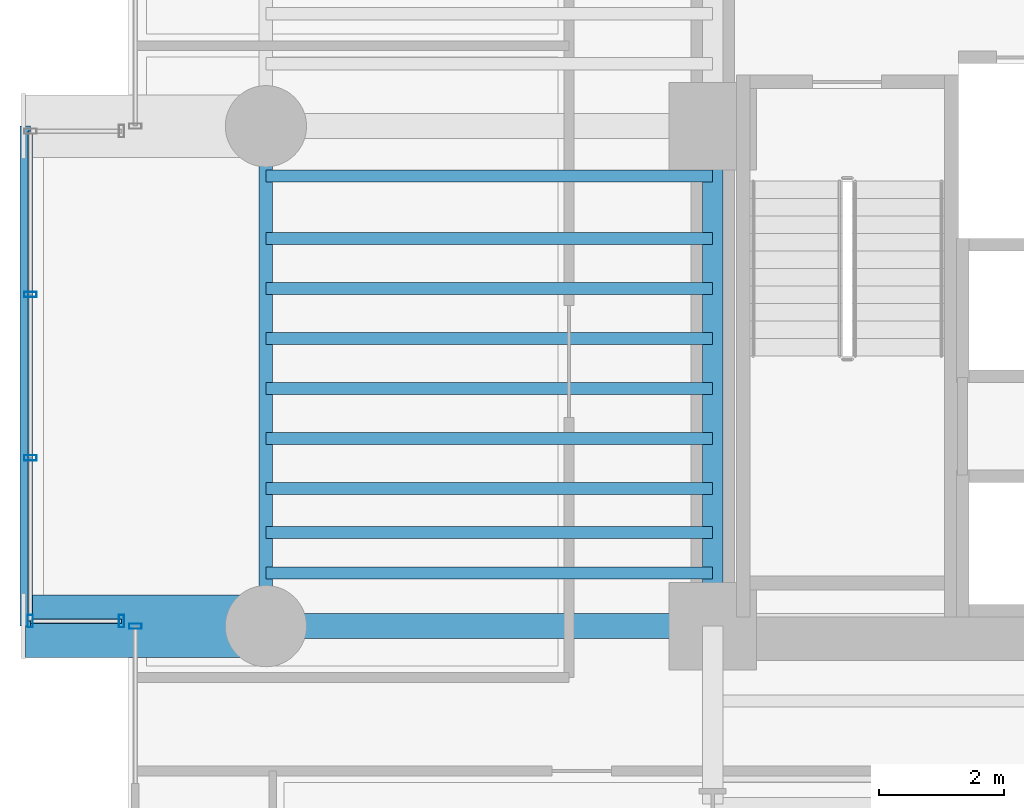
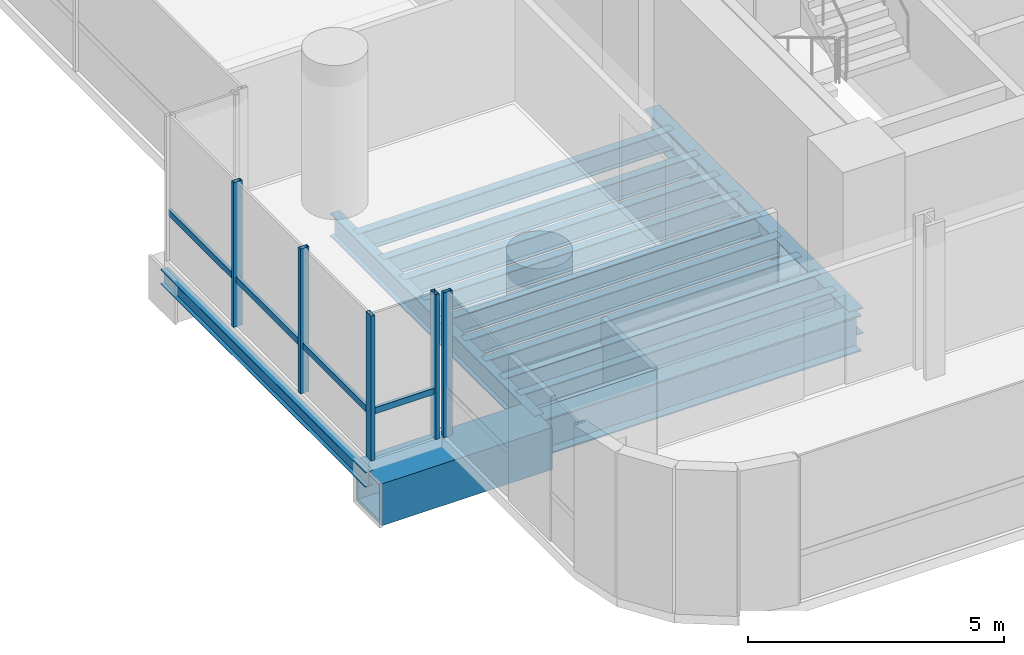
# One storey, part 4 of 40: 14 beams, 7 members, 3 elements without a shape of their own.
"""IFC4 building model written with IfcOpenShell, lengths in metres."""

from ifc_helpers import new_model, si_unit, direction, frame, origin, origin_2d, place, context, subcontext, project, spatial, hollow_rectangle, i_section, extrude, source, transform, mapped, material, material_profile, profile_set, type_object, element, aggregate, save


model = new_model("IFC4")

# Units and contexts
model_context = context("Model", 3, precision=1e-05, world=origin(), true_north=direction((0.0, 1.0)))
body_context = subcontext(model_context, "Body", "Model", "MODEL_VIEW")
ifc_project = project(units=[si_unit("LENGTHUNIT", "METRE"), si_unit("AREAUNIT", "SQUARE_METRE"), si_unit("VOLUMEUNIT", "CUBIC_METRE"), si_unit("PLANEANGLEUNIT", "RADIAN"), si_unit("MASSUNIT", "GRAM", prefix="KILO")], contexts=[model_context])

# Site, building, storey
site_placement = place(None, origin())
site = spatial("IfcSite", under=ifc_project, at=site_placement, CompositionType="ELEMENT")
building_placement = place(site_placement, origin())
building = spatial("IfcBuilding", under=site, at=building_placement, Name="Valdorenza Pilgrim Sanctuary Tower", CompositionType="ELEMENT")
storey_placement = place(building_placement, frame((0.0, 0.0, 66.699951171875)))
storey = spatial("IfcBuildingStorey", under=building, at=storey_placement, Name="L16", CompositionType="ELEMENT", Elevation=66.699951171875)

# Beams
ifc_material_1 = material(Name="Steel ASTM A992 Grade 50", Category="steel")
ifc_material_profile_1 = material_profile(ifc_material_1, i_section(OverallWidth=0.214111328125, OverallDepth=0.549072265625, WebThickness=0.0146484375, FlangeThickness=0.023681640625, at=origin_2d()), Name="W21X93")
ifc_profile_set_1 = profile_set([ifc_material_profile_1], Name="Steel ASTM A992 Grade 50")
beam_type_1 = type_object("IfcBeamType", Name="STR-BM-SPN-W21A", PredefinedType="SPANDREL", material=ifc_profile_set_1)
shared_shape_1 = source(origin(), body_context, "Body", "SweptSolid", [
    extrude(i_section(OverallWidth=0.214111328125, OverallDepth=0.549072265625, WebThickness=0.0146484375, FlangeThickness=0.023681640625, at=origin_2d()), origin(), (0.0, 0.0, 1.0), 8.0),
])
beam_1_placement = place(storey_placement, frame((-29.800048828125, -10.60009765625, -0.514404296875), z_axis=(0.0, 1.0, 0.0), x_axis=(-1.0, 0.0, 0.0)))
element("IfcBeam", 1, at=beam_1_placement, inside=storey, type_object=beam_type_1, Name="L16 Spandrel Beam WA-W-S1M0", PredefinedType="SPANDREL", context=body_context, shape_type="MappedRepresentation", body=[
    mapped(shared_shape_1, transform((0.0, 0.0, 0.0), x_axis=(1.0, 0.0, 0.0), y_axis=(0.0, 1.0, 0.0), z_axis=(0.0, 0.0, 1.0), scale=1.0)),
])
ifc_material_profile_2 = material_profile(ifc_material_1, i_section(OverallWidth=0.323974609375, OverallDepth=0.611083984375, WebThickness=0.0126953125, FlangeThickness=0.01904296875, at=origin_2d()), Name="W24X104")
ifc_profile_set_2 = profile_set([ifc_material_profile_2], Name="Steel ASTM A992 Grade 50")
beam_type_2 = type_object("IfcBeamType", Name="STR-BM-GRD-W24B", PredefinedType="BEAM", material=ifc_profile_set_2)
shared_shape_2 = source(origin(), body_context, "Body", "SweptSolid", [
    extrude(i_section(OverallWidth=0.323974609375, OverallDepth=0.611083984375, WebThickness=0.0126953125, FlangeThickness=0.01904296875, at=origin_2d()), origin(), (0.0, 0.0, 1.0), 8.0),
])
beam_2_placement = place(storey_placement, frame((-22.64990234375, -10.60009765625, -0.54541015625), z_axis=(0.0, 1.0, 0.0), x_axis=(-1.0, 0.0, 0.0)))
element("IfcBeam", 2, at=beam_2_placement, inside=storey, type_object=beam_type_2, Name="L16 Core Tie Girder CA-W-S1M0", PredefinedType="BEAM", context=body_context, shape_type="MappedRepresentation", body=[
    mapped(shared_shape_2, transform((0.0, 0.0, 0.0), x_axis=(1.0, 0.0, 0.0), y_axis=(0.0, 1.0, 0.0), z_axis=(0.0, 0.0, 1.0), scale=1.0)),
])
ifc_material_profile_3 = material_profile(ifc_material_1, i_section(OverallWidth=0.193115234375, OverallDepth=0.466064453125, WebThickness=0.011474609375, FlangeThickness=0.01904296875, at=origin_2d()), Name="W18X65")
ifc_profile_set_3 = profile_set([ifc_material_profile_3], Name="Steel ASTM A992 Grade 50")
beam_type_3 = type_object("IfcBeamType", Name="STR-BM-JST-W18A", PredefinedType="JOIST", material=ifc_profile_set_3)
shared_shape_3 = source(origin(), body_context, "Body", "SweptSolid", [
    extrude(i_section(OverallWidth=0.193115234375, OverallDepth=0.466064453125, WebThickness=0.011474609375, FlangeThickness=0.01904296875, at=origin_2d()), origin(), (0.0, 0.0, 1.0), 7.150146484375),
])
for number, where, z_axis, x_axis, name in (
    (3, (-29.800048828125, -9.75, -0.472900390625), (1.0, 0.0, 0.0), (0.0, 1.0, 0.0), "L16 Composite Floor Joist JST-WA-1"),
    (4, (-29.800048828125, -9.10009765625, -0.472900390625), (1.0, 0.0, 0.0), (0.0, 1.0, 0.0), "L16 Composite Floor Joist JST-WA-2"),
    (5, (-29.800048828125, -8.39990234375, -0.472900390625), (1.0, 0.0, 0.0), (0.0, 1.0, 0.0), "L16 Composite Floor Joist JST-WA-3"),
    (6, (-29.800048828125, -7.60009765625, -0.472900390625), (1.0, 0.0, 0.0), (0.0, 1.0, 0.0), "L16 Composite Floor Joist JST-WA-4"),
    (7, (-29.800048828125, -6.800048828125, -0.472900390625), (1.0, 0.0, 0.0), (0.0, 1.0, 0.0), "L16 Composite Floor Joist JST-WA-5"),
    (8, (-29.800048828125, -6.0, -0.472900390625), (1.0, 0.0, 0.0), (0.0, 1.0, 0.0), "L16 Composite Floor Joist JST-WA-6"),
    (9, (-29.800048828125, -5.199951171875, -0.472900390625), (1.0, 0.0, 0.0), (0.0, 1.0, 0.0), "L16 Composite Floor Joist JST-WA-7"),
    (10, (-29.800048828125, -4.39990234375, -0.472900390625), (1.0, 0.0, 0.0), (0.0, 1.0, 0.0), "L16 Composite Floor Joist JST-WA-8"),
    (11, (-29.800048828125, -3.39990234375, -0.472900390625), (1.0, 0.0, 0.0), (0.0, 1.0, 0.0), "L16 Composite Floor Joist JST-WA-9"),
):
    element("IfcBeam", number, at=place(storey_placement, frame(where, z_axis=z_axis, x_axis=x_axis)), inside=storey, type_object=beam_type_3, Name=name, PredefinedType="JOIST", context=body_context, shape_type="MappedRepresentation", body=[
        mapped(shared_shape_3, transform((0.0, 0.0, 0.0), x_axis=(1.0, 0.0, 0.0), y_axis=(0.0, 1.0, 0.0), z_axis=(0.0, 0.0, 1.0), scale=1.0)),
    ])
ifc_material_2 = material(Name="Steel ASTM A572 Grade 42", Category="steel")
ifc_material_profile_4 = material_profile(ifc_material_2, hollow_rectangle(XDim=1.0, YDim=1.0, WallThickness=0.080078125, at=origin_2d()), Name="BOX 1000x1000x80")
ifc_profile_set_4 = profile_set([ifc_material_profile_4], Name="Steel ASTM A572 Grade 42")
beam_type_4 = type_object("IfcBeamType", Name="STR-BM-PROW-CANT", PredefinedType="BEAM", material=ifc_profile_set_4)
shared_shape_4 = source(origin(), body_context, "Body", "SweptSolid", [
    extrude(hollow_rectangle(XDim=1.0, YDim=1.0, WallThickness=0.080078125, at=origin_2d()), origin(), (0.0, 0.0, 1.0), 3.849853515625),
])
beam_3_placement = place(storey_placement, frame((-29.800048828125, -10.60009765625, -0.739990234375), z_axis=(-1.0, 0.0, 0.0), x_axis=(0.0, -1.0, 0.0)))
element("IfcBeam", 12, at=beam_3_placement, inside=storey, type_object=beam_type_4, Name="L16 Glass Box Cantilever Beam BOX-WA-L16-CT-S", PredefinedType="BEAM", context=body_context, shape_type="MappedRepresentation", body=[
    mapped(shared_shape_4, transform((0.0, 0.0, 0.0), x_axis=(1.0, 0.0, 0.0), y_axis=(0.0, 1.0, 0.0), z_axis=(0.0, 0.0, 1.0), scale=1.0)),
])
ifc_material_profile_5 = material_profile(ifc_material_1, i_section(OverallWidth=0.1708984375, OverallDepth=0.35107421875, WebThickness=0.0068359375, FlangeThickness=0.009765625, at=origin_2d()), Name="W14X30")
ifc_profile_set_5 = profile_set([ifc_material_profile_5], Name="Steel ASTM A992 Grade 50")
beam_type_5 = type_object("IfcBeamType", Name="STR-BM-BOX-W14", PredefinedType="BEAM", material=ifc_profile_set_5)
shared_shape_5 = source(origin(), body_context, "Body", "SweptSolid", [
    extrude(i_section(OverallWidth=0.1708984375, OverallDepth=0.35107421875, WebThickness=0.0068359375, FlangeThickness=0.009765625, at=origin_2d()), origin(), (0.0, 0.0, 1.0), 8.0),
])
beam_4_placement = place(storey_placement, frame((-33.64990234375, -10.60009765625, -0.41552734375), z_axis=(0.0, 1.0, 0.0), x_axis=(-1.0, 0.0, 0.0)))
element("IfcBeam", 13, at=beam_4_placement, inside=storey, type_object=beam_type_5, Name="L16 Glass Box Edge Beam BOX-WA-L16-F", PredefinedType="BEAM", context=body_context, shape_type="MappedRepresentation", body=[
    mapped(shared_shape_5, transform((0.0, 0.0, 0.0), x_axis=(1.0, 0.0, 0.0), y_axis=(0.0, 1.0, 0.0), z_axis=(0.0, 0.0, 1.0), scale=1.0)),
])
ifc_material_profile_6 = material_profile(ifc_material_1, i_section(OverallWidth=0.39990234375, OverallDepth=0.862060546875, WebThickness=0.019775390625, FlangeThickness=0.032470703125, at=origin_2d()), Name="W33X221")
ifc_profile_set_6 = profile_set([ifc_material_profile_6], Name="Steel ASTM A992 Grade 50")
beam_type_6 = type_object("IfcBeamType", Name="STR-BM-GRD-W33", PredefinedType="BEAM", material=ifc_profile_set_6)
shared_shape_6 = source(origin(), body_context, "Body", "SweptSolid", [
    extrude(i_section(OverallWidth=0.39990234375, OverallDepth=0.862060546875, WebThickness=0.019775390625, FlangeThickness=0.032470703125, at=origin_2d()), origin(), (0.0, 0.0, 1.0), 7.150146484375),
])
beam_5_placement = place(storey_placement, frame((-29.800048828125, -10.60009765625, -0.6708984375), z_axis=(1.0, 0.0, 0.0), x_axis=(0.0, 1.0, 0.0)))
element("IfcBeam", 14, at=beam_5_placement, inside=storey, type_object=beam_type_6, Name="L16 Floor Girder WA-XW-S1", PredefinedType="BEAM", context=body_context, shape_type="MappedRepresentation", body=[
    mapped(shared_shape_6, transform((0.0, 0.0, 0.0), x_axis=(1.0, 0.0, 0.0), y_axis=(0.0, 1.0, 0.0), z_axis=(0.0, 0.0, 1.0), scale=1.0)),
])

# Curtain wall, member
ifc_material_3 = material(Name="Curtain-wall IGU glazing", Category="glass")
curtain_wall_type = type_object("IfcCurtainWallType", Name="CW-SYS-02", PredefinedType="NOTDEFINED", material=ifc_material_3)
curtain_wall_1_placement = place(storey_placement, origin())
curtain_wall_1 = element("IfcCurtainWall", 15, at=curtain_wall_1_placement, inside=storey, type_object=curtain_wall_type, Name="L16 Curtain Wall CW-L16-1-1S1", PredefinedType="NOTDEFINED")
ifc_material_4 = material(Name="Anodised aluminium AW-6060", Category="aluminium")
ifc_material_profile_7 = material_profile(ifc_material_4, hollow_rectangle(XDim=0.0849609375, YDim=0.199951171875, WallThickness=0.0048828125, at=origin_2d()), Name="ALU-M 200x85x5")
ifc_profile_set_7 = profile_set([ifc_material_profile_7], Name="Anodised aluminium AW-6060")
member_type_1 = type_object("IfcMemberType", Name="CW-MUL-02", PredefinedType="MULLION", material=ifc_profile_set_7)
shared_shape_7 = source(origin(), body_context, "Body", "SweptSolid", [
    extrude(hollow_rectangle(XDim=0.0849609375, YDim=0.199951171875, WallThickness=0.0048828125, at=origin_2d()), origin(), (0.0, 0.0, 1.0), 3.4599609375),
])
member_1_placement = place(storey_placement, frame((-31.889892578125, -10.60009765625, 0.0), z_axis=(0.0, 0.0, 1.0), x_axis=(0.0, 1.0, 0.0)))
member_1 = element("IfcMember", 16, at=member_1_placement, type_object=member_type_1, Name="CW-L16-1-1S1 Mullion 2", PredefinedType="MULLION", context=body_context, shape_type="MappedRepresentation", body=[
    mapped(shared_shape_7, transform((0.0, 0.0, 0.0), x_axis=(1.0, 0.0, 0.0), y_axis=(0.0, 1.0, 0.0), z_axis=(0.0, 0.0, 1.0), scale=1.0)),
])
aggregate(curtain_wall_1, [member_1])

# Curtain wall, members
curtain_wall_2_placement = place(storey_placement, origin())
curtain_wall_2 = element("IfcCurtainWall", 17, at=curtain_wall_2_placement, inside=storey, type_object=curtain_wall_type, Name="L16 Curtain Wall CW-L16-BOX-WA-L16-S", PredefinedType="NOTDEFINED")
member_2_placement = place(storey_placement, frame((-32.110107421875, -10.52001953125, 0.0), z_axis=(0.0, 0.0, 1.0), x_axis=(-1.0, 0.0, 0.0)))
member_2 = element("IfcMember", 18, at=member_2_placement, type_object=member_type_1, Name="CW-L16-BOX-WA-L16-S Mullion 1", PredefinedType="MULLION", context=body_context, shape_type="MappedRepresentation", body=[
    mapped(shared_shape_7, transform((0.0, 0.0, 0.0), x_axis=(1.0, 0.0, 0.0), y_axis=(0.0, 1.0, 0.0), z_axis=(0.0, 0.0, 1.0), scale=1.0)),
])
member_3_placement = place(storey_placement, frame((-33.570068359375, -10.52001953125, 0.0), z_axis=(0.0, 0.0, 1.0), x_axis=(-1.0, 0.0, 0.0)))
member_3 = element("IfcMember", 19, at=member_3_placement, type_object=member_type_1, Name="CW-L16-BOX-WA-L16-S Mullion 2", PredefinedType="MULLION", context=body_context, shape_type="MappedRepresentation", body=[
    mapped(shared_shape_7, transform((0.0, 0.0, 0.0), x_axis=(1.0, 0.0, 0.0), y_axis=(0.0, 1.0, 0.0), z_axis=(0.0, 0.0, 1.0), scale=1.0)),
])

curtain_wall_3_placement = place(storey_placement, origin())
curtain_wall_3 = element("IfcCurtainWall", 20, at=curtain_wall_3_placement, inside=storey, type_object=curtain_wall_type, Name="L16 Curtain Wall CW-L16-BOX-WA-L16-F", PredefinedType="NOTDEFINED")
member_4_placement = place(storey_placement, frame((-33.570068359375, -7.90673828125, 0.0), z_axis=(0.0, 0.0, 1.0), x_axis=(0.0, 1.0, 0.0)))
member_4 = element("IfcMember", 21, at=member_4_placement, type_object=member_type_1, Name="CW-L16-BOX-WA-L16-F Mullion 2", PredefinedType="MULLION", context=body_context, shape_type="MappedRepresentation", body=[
    mapped(shared_shape_7, transform((0.0, 0.0, 0.0), x_axis=(1.0, 0.0, 0.0), y_axis=(0.0, 1.0, 0.0), z_axis=(0.0, 0.0, 1.0), scale=1.0)),
])
member_5_placement = place(storey_placement, frame((-33.570068359375, -5.293212890625, 0.0), z_axis=(0.0, 0.0, 1.0), x_axis=(0.0, 1.0, 0.0)))
member_5 = element("IfcMember", 22, at=member_5_placement, type_object=member_type_1, Name="CW-L16-BOX-WA-L16-F Mullion 3", PredefinedType="MULLION", context=body_context, shape_type="MappedRepresentation", body=[
    mapped(shared_shape_7, transform((0.0, 0.0, 0.0), x_axis=(1.0, 0.0, 0.0), y_axis=(0.0, 1.0, 0.0), z_axis=(0.0, 0.0, 1.0), scale=1.0)),
])

# Member
ifc_material_profile_8 = material_profile(ifc_material_4, hollow_rectangle(XDim=0.074951171875, YDim=0.14990234375, WallThickness=0.00390625, at=origin_2d()), Name="ALU-T 150x75x4")
ifc_profile_set_8 = profile_set([ifc_material_profile_8], Name="Anodised aluminium AW-6060")
member_type_2 = type_object("IfcMemberType", Name="CW-TRN-02", PredefinedType="USERDEFINED", material=ifc_profile_set_8)
shared_shape_8 = source(origin(), body_context, "Body", "SweptSolid", [
    extrude(hollow_rectangle(XDim=0.074951171875, YDim=0.14990234375, WallThickness=0.00390625, at=origin_2d()), origin(), (0.0, 0.0, 1.0), 1.4599609375),
])
member_6_placement = place(storey_placement, frame((-32.110107421875, -10.52001953125, 1.1201171875), z_axis=(-1.0, 0.0, 0.0), x_axis=(0.0, -1.0, 0.0)))
member_6 = element("IfcMember", 23, at=member_6_placement, type_object=member_type_2, Name="CW-L16-BOX-WA-L16-S Transom 1", ObjectType="TRANSOM", PredefinedType="USERDEFINED", context=body_context, shape_type="MappedRepresentation", body=[
    mapped(shared_shape_8, transform((0.0, 0.0, 0.0), x_axis=(1.0, 0.0, 0.0), y_axis=(0.0, 1.0, 0.0), z_axis=(0.0, 0.0, 1.0), scale=1.0)),
])

aggregate(curtain_wall_2, [member_2, member_3, member_6])

shared_shape_9 = source(origin(), body_context, "Body", "SweptSolid", [
    extrude(hollow_rectangle(XDim=0.074951171875, YDim=0.14990234375, WallThickness=0.00390625, at=origin_2d()), origin(), (0.0, 0.0, 1.0), 7.840087890625),
])
member_7_placement = place(storey_placement, frame((-33.570068359375, -10.52001953125, 1.1201171875), z_axis=(0.0, 1.0, 0.0), x_axis=(-1.0, 0.0, 0.0)))
member_7 = element("IfcMember", 24, at=member_7_placement, type_object=member_type_2, Name="CW-L16-BOX-WA-L16-F Transom 1", ObjectType="TRANSOM", PredefinedType="USERDEFINED", context=body_context, shape_type="MappedRepresentation", body=[
    mapped(shared_shape_9, transform((0.0, 0.0, 0.0), x_axis=(1.0, 0.0, 0.0), y_axis=(0.0, 1.0, 0.0), z_axis=(0.0, 0.0, 1.0), scale=1.0)),
])

aggregate(curtain_wall_3, [member_4, member_5, member_7])

save(model, "model.ifc")
